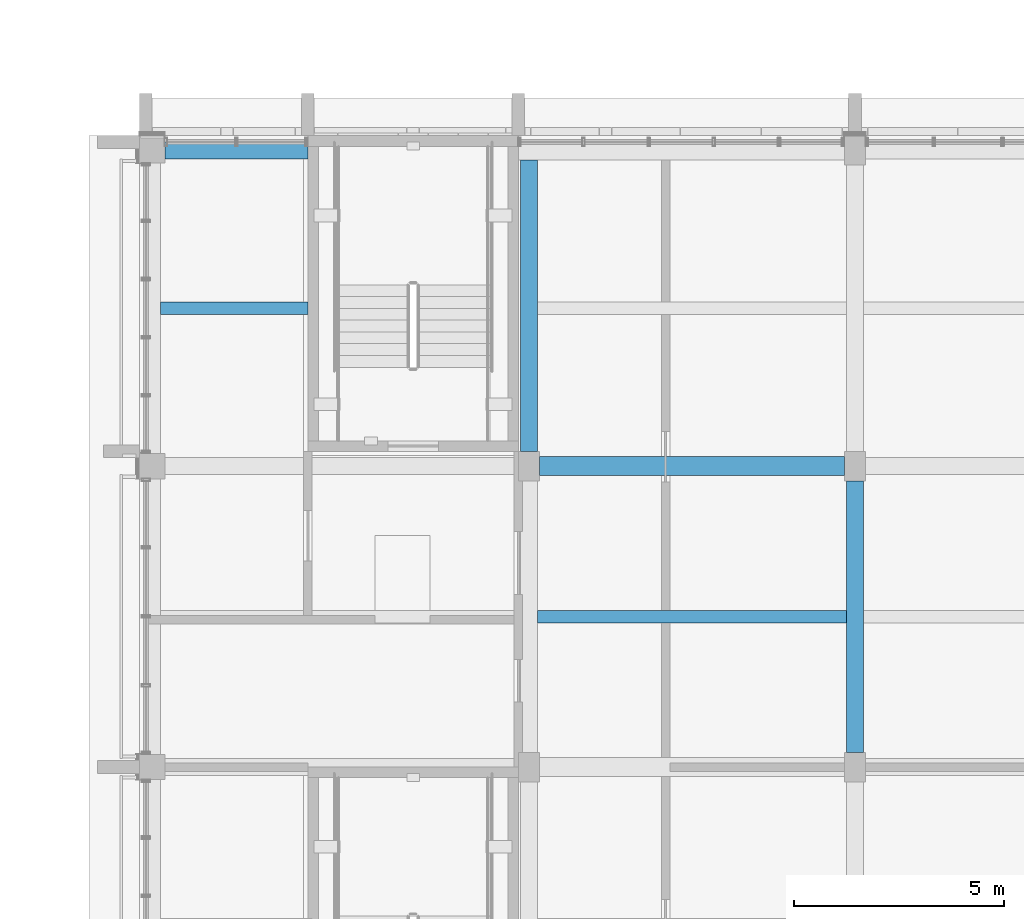
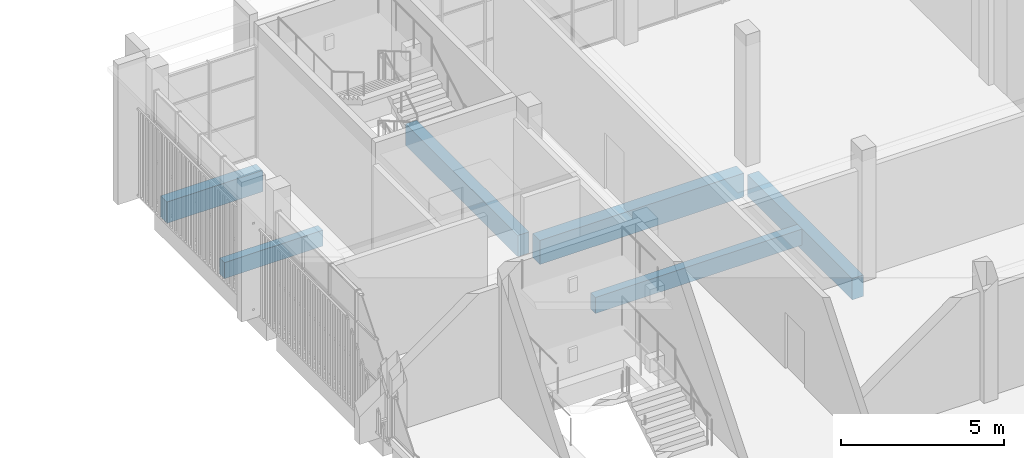
# One storey, part 50 of 125: 6 beams.
"""IFC4 building model written with IfcOpenShell, lengths in metres."""

from ifc_helpers import new_model, si_unit, direction, frame, origin, origin_2d, place, context, subcontext, project, spatial, rectangle, extrude, material, material_profile, profile_set, type_object, element, save


model = new_model("IFC4")

# Units and contexts
model_context = context("Model", 3, precision=1e-05, world=origin(), true_north=direction((0.0, 1.0)))
body_context = subcontext(model_context, "Body", "Model", "MODEL_VIEW")
ifc_project = project(units=[si_unit("LENGTHUNIT", "METRE"), si_unit("AREAUNIT", "SQUARE_METRE"), si_unit("VOLUMEUNIT", "CUBIC_METRE"), si_unit("PLANEANGLEUNIT", "RADIAN"), si_unit("MASSUNIT", "GRAM", prefix="KILO")], contexts=[model_context])

# Site, building, storey
site_placement = place(None, origin())
site = spatial("IfcSite", under=ifc_project, at=site_placement, CompositionType="ELEMENT")
building_placement = place(site_placement, origin())
building = spatial("IfcBuilding", under=site, at=building_placement, Name="Sun Court Science Centre", CompositionType="ELEMENT")
storey_placement = place(building_placement, frame((0.0, 0.0, 6.0)))
storey = spatial("IfcBuildingStorey", under=building, at=storey_placement, Name="L01", CompositionType="ELEMENT", Elevation=6.0)

# Beams
ifc_material_1 = material(Name="Concrete C25/30", Category="concrete")
ifc_material_profile_1 = material_profile(ifc_material_1, rectangle(XDim=0.39990234375, YDim=0.800048828125, at=origin_2d()), Name="RC 400x800")
ifc_profile_set_1 = profile_set([ifc_material_profile_1], Name="Concrete C25/30")
beam_type_1 = type_object("IfcBeamType", Name="RC girder 400x800", PredefinedType="BEAM", material=ifc_profile_set_1)
beam_1_placement = place(storey_placement, frame((78.60009765625, 80.64990234375, -0.699951171875), z_axis=(1.0, 0.0, 0.0), x_axis=(0.0, 1.0, 0.0)))
element("IfcBeam", 1, at=beam_1_placement, inside=storey, type_object=beam_type_1, Name="Girder L01 row 11", PredefinedType="BEAM", context=body_context, shape_type="SweptSolid", body=[
    extrude(rectangle(XDim=0.39990234375, YDim=0.800048828125, at=origin_2d()), origin(), (0.0, 0.0, 1.0), 3.39990234375),
])
beam_2_placement = place(storey_placement, frame((87.25, 73.5, -0.699951171875), z_axis=(0.0, 1.0, 0.0), x_axis=(-1.0, 0.0, 0.0)))
element("IfcBeam", 2, at=beam_2_placement, inside=storey, type_object=beam_type_1, Name="Girder L01 line 2", PredefinedType="BEAM", context=body_context, shape_type="SweptSolid", body=[
    extrude(rectangle(XDim=0.39990234375, YDim=0.800048828125, at=origin_2d()), origin(), (0.0, 0.0, 1.0), 6.925048828125),
])
beam_3_placement = place(storey_placement, frame((95.0, 66.35009765625, -0.699951171875), z_axis=(0.0, 1.0, 0.0), x_axis=(-1.0, 0.0, 0.0)))
element("IfcBeam", 3, at=beam_3_placement, inside=storey, type_object=beam_type_1, Name="Girder L01 line 3", PredefinedType="BEAM", context=body_context, shape_type="SweptSolid", body=[
    extrude(rectangle(XDim=0.39990234375, YDim=0.800048828125, at=origin_2d()), origin(), (0.0, 0.0, 1.0), 6.449951171875),
])
ifc_material_2 = material(Name="Concrete C25/30", Category="concrete")
ifc_material_profile_2 = material_profile(ifc_material_2, rectangle(XDim=0.449951171875, YDim=0.89990234375, at=origin_2d()), Name="RC 450x900")
ifc_profile_set_2 = profile_set([ifc_material_profile_2], Name="Concrete C25/30")
beam_type_2 = type_object("IfcBeamType", Name="RC girder 450x900", PredefinedType="BEAM", material=ifc_profile_set_2)
beam_4_placement = place(storey_placement, frame((87.5, 73.14990234375, -0.75), z_axis=(1.0, 0.0, 0.0), x_axis=(0.0, 1.0, 0.0)))
element("IfcBeam", 4, at=beam_4_placement, inside=storey, type_object=beam_type_2, Name="Girder L01 row 10", PredefinedType="BEAM", context=body_context, shape_type="SweptSolid", body=[
    extrude(rectangle(XDim=0.449951171875, YDim=0.89990234375, at=origin_2d()), origin(), (0.0, 0.0, 1.0), 7.25),
])
ifc_material_3 = material(Name="Concrete C25/30", Category="concrete")
ifc_material_profile_3 = material_profile(ifc_material_3, rectangle(XDim=0.300048828125, YDim=0.60009765625, at=origin_2d()), Name="RC 300x600")
ifc_profile_set_3 = profile_set([ifc_material_profile_3], Name="Concrete C25/30")
beam_type_3 = type_object("IfcBeamType", Name="RC joist 300x600", PredefinedType="JOIST", material=ifc_profile_set_3)
beam_5_placement = place(storey_placement, frame((87.449951171875, 69.574951171875, -0.60009765625), z_axis=(1.0, 0.0, 0.0), x_axis=(0.0, 1.0, 0.0)))
element("IfcBeam", 5, at=beam_5_placement, inside=storey, type_object=beam_type_3, Name="Joist L01", PredefinedType="JOIST", context=body_context, shape_type="SweptSolid", body=[
    extrude(rectangle(XDim=0.300048828125, YDim=0.60009765625, at=origin_2d()), origin(), (0.0, 0.0, 1.0), 7.35009765625),
])
beam_6_placement = place(storey_placement, frame((78.5, 76.89990234375, -0.60009765625), z_axis=(1.0, 0.0, 0.0), x_axis=(0.0, 1.0, 0.0)))
element("IfcBeam", 6, at=beam_6_placement, inside=storey, type_object=beam_type_3, Name="Joist L01", PredefinedType="JOIST", context=body_context, shape_type="SweptSolid", body=[
    extrude(rectangle(XDim=0.300048828125, YDim=0.60009765625, at=origin_2d()), origin(), (0.0, 0.0, 1.0), 3.5),
])

save(model, "model.ifc")
